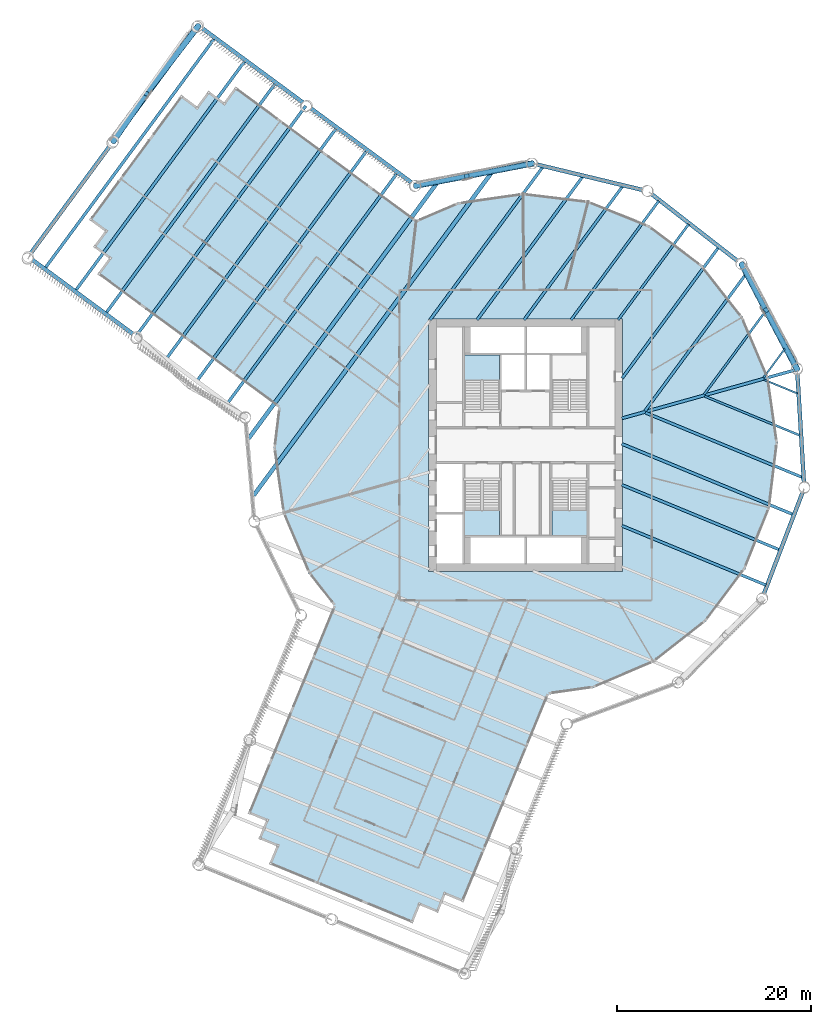
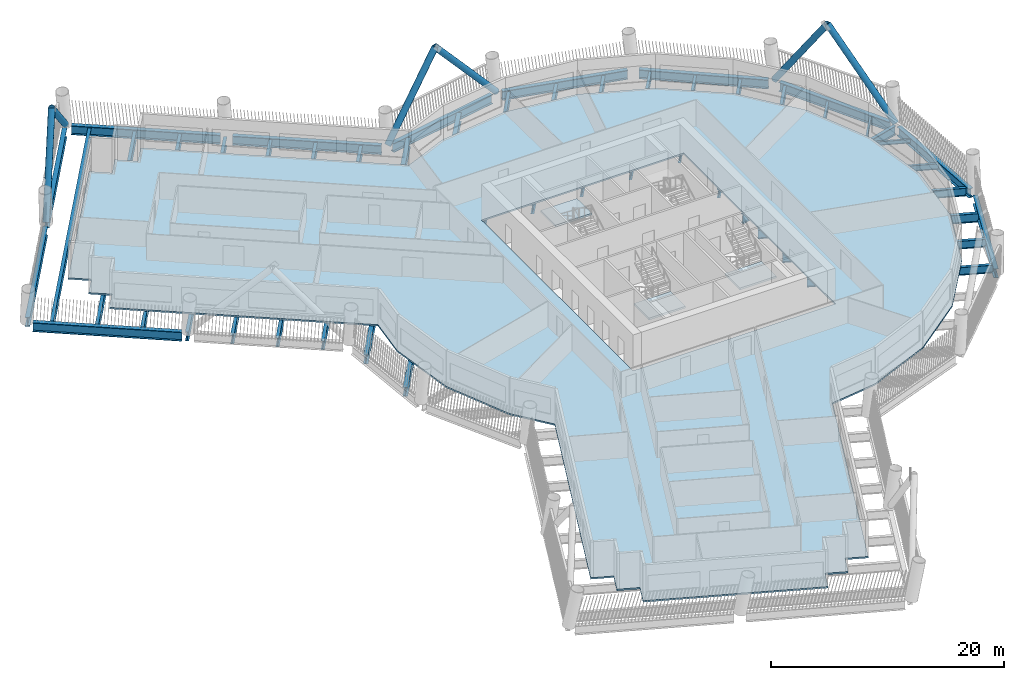
# One storey, part 2 of 23: 36 beams, 6 members, 4 slabs, 3 elements without a shape of their own.
"""IFC4 building model written with IfcOpenShell, lengths in metres."""

from ifc_helpers import new_model, si_unit, direction, frame, origin, origin_2d, place, context, subcontext, project, spatial, polyline, hollow_circle, i_section, outline, extrude, material, layer, layer_set, material_profile, profile_set, type_object, element, aggregate, save


model = new_model("IFC4")

# Units and contexts
model_context = context("Model", 3, precision=1e-05, world=origin(), true_north=direction((0.0, 1.0)))
body_context = subcontext(model_context, "Body", "Model", "MODEL_VIEW")
ifc_project = project(units=[si_unit("LENGTHUNIT", "METRE"), si_unit("AREAUNIT", "SQUARE_METRE"), si_unit("VOLUMEUNIT", "CUBIC_METRE"), si_unit("PLANEANGLEUNIT", "RADIAN"), si_unit("MASSUNIT", "GRAM", prefix="KILO")], contexts=[model_context])

# Site, building, storey
site_placement = place(None, origin())
site = spatial("IfcSite", under=ifc_project, at=site_placement, CompositionType="ELEMENT")
building_placement = place(site_placement, origin())
building = spatial("IfcBuilding", under=site, at=building_placement, Name="Tarsis Ring Headquarters", CompositionType="ELEMENT")
storey_placement = place(building_placement, frame((0.0, 0.0, 124.0)))
storey = spatial("IfcBuildingStorey", under=building, at=storey_placement, Name="L28", CompositionType="ELEMENT", Elevation=124.0)

# Beams
ifc_material_1 = material(Name="Structural steel S355", Category="steel")
ifc_material_profile_1 = material_profile(ifc_material_1, i_section(OverallWidth=0.177734375, OverallDepth=0.406494140625, WebThickness=0.0078125, FlangeThickness=0.0126953125, at=origin_2d()), Name="W16x40")
ifc_profile_set_1 = profile_set([ifc_material_profile_1], Name="Structural steel S355")
beam_type_1 = type_object("IfcBeamType", Name="FB Floor beam W16x40", PredefinedType="JOIST", material=ifc_profile_set_1)
beam_1_placement = place(storey_placement, frame((24.54541015625, 6.75634765625, -0.36328125), z_axis=(0.924533448586, -0.381100908482, 0.0), x_axis=(0.381100908482, 0.924533448586, 0.0)))
element("IfcBeam", 1, at=beam_1_placement, inside=storey, type_object=beam_type_1, Name="Floor beam FB1", PredefinedType="JOIST", context=body_context, shape_type="SweptSolid", body=[
    extrude(i_section(OverallWidth=0.177734375, OverallDepth=0.406494140625, WebThickness=0.0078125, FlangeThickness=0.0126953125, at=origin_2d()), origin(), (0.0, 0.0, 1.0), 3.741943359375),
])
beam_2_placement = place(storey_placement, frame((26.715576171875, 9.94775390625, -0.36328125), z_axis=(-0.593423807541, -0.804890169305, 0.0), x_axis=(0.804890169305, -0.593423807541, 0.0)))
element("IfcBeam", 2, at=beam_2_placement, inside=storey, type_object=beam_type_1, Name="Floor beam FB1", PredefinedType="JOIST", context=body_context, shape_type="SweptSolid", body=[
    extrude(i_section(OverallWidth=0.177734375, OverallDepth=0.406494140625, WebThickness=0.0078125, FlangeThickness=0.0126953125, at=origin_2d()), origin(), (0.0, 0.0, 1.0), 3.74169921875),
])
ifc_material_profile_2 = material_profile(ifc_material_1, i_section(OverallWidth=0.228271484375, OverallDepth=0.607177734375, WebThickness=0.01123046875, FlangeThickness=0.017333984375, at=origin_2d()), Name="W24x76")
ifc_profile_set_2 = profile_set([ifc_material_profile_2], Name="Structural steel S355")
beam_type_2 = type_object("IfcBeamType", Name="FB Floor beam W24x76", PredefinedType="JOIST", material=ifc_profile_set_2)
for number, where, z_axis, x_axis, name in (
    (3, (18.444091796875, 5.052734375, -0.463623046875), (0.924548560944, -0.381064244526, 0.0), (0.381064244526, 0.924548560944, 0.0), "Floor beam FB4"),
    (4, (24.69677734375, 13.781494140625, -0.463623046875), (-0.593433455128, -0.80488305631, 0.0), (0.80488305631, -0.593433455128, 0.0), "Floor beam FB4"),
):
    element("IfcBeam", number, at=place(storey_placement, frame(where, z_axis=z_axis, x_axis=x_axis)), inside=storey, type_object=beam_type_2, Name=name, PredefinedType="JOIST", context=body_context, shape_type="SweptSolid", body=[
        extrude(i_section(OverallWidth=0.228271484375, OverallDepth=0.607177734375, WebThickness=0.01123046875, FlangeThickness=0.017333984375, at=origin_2d()), origin(), (0.0, 0.0, 1.0), 10.62109375),
    ])
ifc_material_profile_3 = material_profile(ifc_material_1, i_section(OverallWidth=0.2529296875, OverallDepth=0.67822265625, WebThickness=0.01171875, FlangeThickness=0.016357421875, at=origin_2d()), Name="W27x84")
ifc_profile_set_3 = profile_set([ifc_material_profile_3], Name="Structural steel S355")
beam_type_3 = type_object("IfcBeamType", Name="FB Floor beam W27x84", PredefinedType="JOIST", material=ifc_profile_set_3)
beam_3_placement = place(storey_placement, frame((16.78955078125, 22.772705078125, -0.4990234375), z_axis=(-0.593416030826, -0.804895902809, 0.0), x_axis=(0.804895902809, -0.593416030826, 0.0)))
element("IfcBeam", 5, at=beam_3_placement, inside=storey, type_object=beam_type_3, Name="Floor beam FB5", PredefinedType="JOIST", context=body_context, shape_type="SweptSolid", body=[
    extrude(i_section(OverallWidth=0.2529296875, OverallDepth=0.67822265625, WebThickness=0.01171875, FlangeThickness=0.016357421875, at=origin_2d()), origin(), (0.0, 0.0, 1.0), 12.24169921875),
])
ifc_material_profile_4 = material_profile(ifc_material_1, i_section(OverallWidth=0.2666015625, OverallDepth=0.7568359375, WebThickness=0.013916015625, FlangeThickness=0.019287109375, at=origin_2d()), Name="W30x108")
ifc_profile_set_4 = profile_set([ifc_material_profile_4], Name="Structural steel S355")
beam_type_4 = type_object("IfcBeamType", Name="FB Floor beam W30x108", PredefinedType="JOIST", material=ifc_profile_set_4)
beam_4_placement = place(storey_placement, frame((13.71044921875, 25.168701171875, -0.538330078125), z_axis=(-0.593411342668, -0.80489935917, 0.0), x_axis=(0.80489935917, -0.593411342668, 0.0)))
element("IfcBeam", 6, at=beam_4_placement, inside=storey, type_object=beam_type_4, Name="Floor beam FB6", PredefinedType="JOIST", context=body_context, shape_type="SweptSolid", body=[
    extrude(i_section(OverallWidth=0.2666015625, OverallDepth=0.7568359375, WebThickness=0.013916015625, FlangeThickness=0.019287109375, at=origin_2d()), origin(), (0.0, 0.0, 1.0), 15.218505859375),
])
ifc_material_profile_5 = material_profile(ifc_material_1, i_section(OverallWidth=0.2919921875, OverallDepth=0.835693359375, WebThickness=0.013916015625, FlangeThickness=0.018798828125, at=origin_2d()), Name="W33x118")
ifc_profile_set_5 = profile_set([ifc_material_profile_5], Name="Structural steel S355")
beam_type_5 = type_object("IfcBeamType", Name="FB Floor beam W33x118", PredefinedType="JOIST", material=ifc_profile_set_5)
beam_5_placement = place(storey_placement, frame((12.3427734375, 3.34912109375, -0.577880859375), z_axis=(0.924548902838, -0.381063415012, 0.0), x_axis=(0.381063415012, 0.924548902838, 0.0)))
element("IfcBeam", 7, at=beam_5_placement, inside=storey, type_object=beam_type_5, Name="Floor beam FB7", PredefinedType="JOIST", context=body_context, shape_type="SweptSolid", body=[
    extrude(i_section(OverallWidth=0.2919921875, OverallDepth=0.835693359375, WebThickness=0.013916015625, FlangeThickness=0.018798828125, at=origin_2d()), origin(), (0.0, 0.0, 1.0), 17.5009765625),
])
beam_6_placement = place(storey_placement, frame((9.907470703125, -4.08349609375, -0.577880859375), z_axis=(0.924547446988, -0.381066947225, 0.0), x_axis=(0.381066947225, 0.924547446988, 0.0)))
element("IfcBeam", 8, at=beam_6_placement, inside=storey, type_object=beam_type_5, Name="Floor beam FB7", PredefinedType="JOIST", context=body_context, shape_type="SweptSolid", body=[
    extrude(i_section(OverallWidth=0.2919921875, OverallDepth=0.835693359375, WebThickness=0.013916015625, FlangeThickness=0.018798828125, at=origin_2d()), origin(), (0.0, 0.0, 1.0), 17.576904296875),
])
beam_7_placement = place(storey_placement, frame((9.907470703125, -8.302001953125, -0.577880859375), z_axis=(0.924552829151, -0.38105388872, 0.0), x_axis=(0.38105388872, 0.924552829151, 0.0)))
element("IfcBeam", 9, at=beam_7_placement, inside=storey, type_object=beam_type_5, Name="Floor beam FB7", PredefinedType="JOIST", context=body_context, shape_type="SweptSolid", body=[
    extrude(i_section(OverallWidth=0.2919921875, OverallDepth=0.835693359375, WebThickness=0.013916015625, FlangeThickness=0.018798828125, at=origin_2d()), origin(), (0.0, 0.0, 1.0), 16.070556640625),
])
beam_8_placement = place(storey_placement, frame((22.677978515625, 17.615234375, -0.577880859375), z_axis=(-0.593419816906, -0.804893111477, 0.0), x_axis=(0.804893111477, -0.593419816906, 0.0)))
element("IfcBeam", 10, at=beam_8_placement, inside=storey, type_object=beam_type_5, Name="Floor beam FB7", PredefinedType="JOIST", context=body_context, shape_type="SweptSolid", body=[
    extrude(i_section(OverallWidth=0.2919921875, OverallDepth=0.835693359375, WebThickness=0.013916015625, FlangeThickness=0.018798828125, at=origin_2d()), origin(), (0.0, 0.0, 1.0), 17.500732421875),
])
beam_9_placement = place(storey_placement, frame((19.86865234375, 20.376953125, -0.577880859375), z_axis=(-0.593423516318, -0.804890384016, 0.0), x_axis=(0.804890384016, -0.593423516318, 0.0)))
element("IfcBeam", 11, at=beam_9_placement, inside=storey, type_object=beam_type_5, Name="Floor beam FB7", PredefinedType="JOIST", context=body_context, shape_type="SweptSolid", body=[
    extrude(i_section(OverallWidth=0.2919921875, OverallDepth=0.835693359375, WebThickness=0.013916015625, FlangeThickness=0.018798828125, at=origin_2d()), origin(), (0.0, 0.0, 1.0), 16.72998046875),
])
beam_10_placement = place(storey_placement, frame((9.979736328125, 26.680419921875, -0.577880859375), z_axis=(-0.59341091211, -0.804899676599, 0.0), x_axis=(0.804899676599, -0.59341091211, 0.0)))
element("IfcBeam", 12, at=beam_10_placement, inside=storey, type_object=beam_type_5, Name="Floor beam FB7", PredefinedType="JOIST", context=body_context, shape_type="SweptSolid", body=[
    extrude(i_section(OverallWidth=0.2919921875, OverallDepth=0.835693359375, WebThickness=0.013916015625, FlangeThickness=0.018798828125, at=origin_2d()), origin(), (0.0, 0.0, 1.0), 17.096435546875),
])
ifc_material_profile_6 = material_profile(ifc_material_1, i_section(OverallWidth=0.3046875, OverallDepth=0.904296875, WebThickness=0.01513671875, FlangeThickness=0.02001953125, at=origin_2d()), Name="W36x135")
ifc_profile_set_6 = profile_set([ifc_material_profile_6], Name="Structural steel S355")
beam_type_6 = type_object("IfcBeamType", Name="FB Floor beam W36x135", PredefinedType="JOIST", material=ifc_profile_set_6)
beam_11_placement = place(storey_placement, frame((9.907470703125, 0.134765625, -0.612060546875), z_axis=(0.924547421731, -0.381067008506, 0.0), x_axis=(0.381067008506, 0.924547421731, 0.0)))
element("IfcBeam", 13, at=beam_11_placement, inside=storey, type_object=beam_type_6, Name="Floor beam FB8", PredefinedType="JOIST", context=body_context, shape_type="SweptSolid", body=[
    extrude(i_section(OverallWidth=0.3046875, OverallDepth=0.904296875, WebThickness=0.01513671875, FlangeThickness=0.02001953125, at=origin_2d()), origin(), (0.0, 0.0, 1.0), 19.083251953125),
])
beam_12_placement = place(storey_placement, frame((5.865234375, 27.671630859375, -0.612060546875), z_axis=(-0.593417573796, -0.804894765239, 0.0), x_axis=(0.804894765239, -0.593417573796, 0.0)))
element("IfcBeam", 14, at=beam_12_placement, inside=storey, type_object=beam_type_6, Name="Floor beam FB8", PredefinedType="JOIST", context=body_context, shape_type="SweptSolid", body=[
    extrude(i_section(OverallWidth=0.3046875, OverallDepth=0.904296875, WebThickness=0.01513671875, FlangeThickness=0.02001953125, at=origin_2d()), origin(), (0.0, 0.0, 1.0), 18.328125),
])
beam_13_placement = place(storey_placement, frame((1.75048828125, 28.662841796875, -0.612060546875), z_axis=(-0.593415310115, -0.804896434159, 0.0), x_axis=(0.804896434159, -0.593415310115, 0.0)))
element("IfcBeam", 15, at=beam_13_placement, inside=storey, type_object=beam_type_6, Name="Floor beam FB8", PredefinedType="JOIST", context=body_context, shape_type="SweptSolid", body=[
    extrude(i_section(OverallWidth=0.3046875, OverallDepth=0.904296875, WebThickness=0.01513671875, FlangeThickness=0.02001953125, at=origin_2d()), origin(), (0.0, 0.0, 1.0), 19.5595703125),
])
ifc_material_profile_7 = material_profile(ifc_material_1, i_section(OverallWidth=0.309814453125, OverallDepth=0.949951171875, WebThickness=0.0244140625, FlangeThickness=0.0439453125, at=origin_2d()), Name="W36x256")
ifc_profile_set_7 = profile_set([ifc_material_profile_7], Name="Structural steel S355")
beam_type_7 = type_object("IfcBeamType", Name="FB Floor beam W36x256", PredefinedType="JOIST", material=ifc_profile_set_7)
beam_14_placement = place(storey_placement, frame((-13.257568359375, 28.0224609375, -0.635009765625), z_axis=(-0.593420144273, -0.804892870121, 0.0), x_axis=(0.804892870121, -0.593420144273, 0.0)))
element("IfcBeam", 16, at=beam_14_placement, inside=storey, type_object=beam_type_7, Name="Floor beam FB11", PredefinedType="JOIST", context=body_context, shape_type="SweptSolid", body=[
    extrude(i_section(OverallWidth=0.309814453125, OverallDepth=0.949951171875, WebThickness=0.0244140625, FlangeThickness=0.0439453125, at=origin_2d()), origin(), (0.0, 0.0, 1.0), 29.375732421875),
])
beam_15_placement = place(storey_placement, frame((-16.396728515625, 30.3369140625, -0.635009765625), z_axis=(-0.593416174641, -0.80489579678, 0.0), x_axis=(0.80489579678, -0.593416174641, 0.0)))
element("IfcBeam", 17, at=beam_15_placement, inside=storey, type_object=beam_type_7, Name="Floor beam FB11", PredefinedType="JOIST", context=body_context, shape_type="SweptSolid", body=[
    extrude(i_section(OverallWidth=0.309814453125, OverallDepth=0.949951171875, WebThickness=0.0244140625, FlangeThickness=0.0439453125, at=origin_2d()), origin(), (0.0, 0.0, 1.0), 29.3759765625),
])
beam_16_placement = place(storey_placement, frame((-19.53564453125, 32.651123046875, -0.635009765625), z_axis=(-0.593420144273, -0.804892870121, 0.0), x_axis=(0.804892870121, -0.593420144273, 0.0)))
element("IfcBeam", 18, at=beam_16_placement, inside=storey, type_object=beam_type_7, Name="Floor beam FB11", PredefinedType="JOIST", context=body_context, shape_type="SweptSolid", body=[
    extrude(i_section(OverallWidth=0.309814453125, OverallDepth=0.949951171875, WebThickness=0.0244140625, FlangeThickness=0.0439453125, at=origin_2d()), origin(), (0.0, 0.0, 1.0), 29.375732421875),
])
beam_17_placement = place(storey_placement, frame((-22.6748046875, 34.965576171875, -0.635009765625), z_axis=(-0.593416174641, -0.80489579678, 0.0), x_axis=(0.80489579678, -0.593416174641, 0.0)))
element("IfcBeam", 19, at=beam_17_placement, inside=storey, type_object=beam_type_7, Name="Floor beam FB11", PredefinedType="JOIST", context=body_context, shape_type="SweptSolid", body=[
    extrude(i_section(OverallWidth=0.309814453125, OverallDepth=0.949951171875, WebThickness=0.0244140625, FlangeThickness=0.0439453125, at=origin_2d()), origin(), (0.0, 0.0, 1.0), 29.3759765625),
])
beam_18_placement = place(storey_placement, frame((-25.81396484375, 37.27978515625, -0.635009765625), z_axis=(-0.593420144273, -0.804892870121, 0.0), x_axis=(0.804892870121, -0.593420144273, 0.0)))
element("IfcBeam", 20, at=beam_18_placement, inside=storey, type_object=beam_type_7, Name="Floor beam FB11", PredefinedType="JOIST", context=body_context, shape_type="SweptSolid", body=[
    extrude(i_section(OverallWidth=0.309814453125, OverallDepth=0.949951171875, WebThickness=0.0244140625, FlangeThickness=0.0439453125, at=origin_2d()), origin(), (0.0, 0.0, 1.0), 29.375732421875),
])
beam_19_placement = place(storey_placement, frame((-28.952880859375, 39.59423828125, -0.635009765625), z_axis=(-0.593416174641, -0.80489579678, 0.0), x_axis=(0.80489579678, -0.593416174641, 0.0)))
element("IfcBeam", 21, at=beam_19_placement, inside=storey, type_object=beam_type_7, Name="Floor beam FB11", PredefinedType="JOIST", context=body_context, shape_type="SweptSolid", body=[
    extrude(i_section(OverallWidth=0.309814453125, OverallDepth=0.949951171875, WebThickness=0.0244140625, FlangeThickness=0.0439453125, at=origin_2d()), origin(), (0.0, 0.0, 1.0), 29.3759765625),
])
beam_20_placement = place(storey_placement, frame((-32.092041015625, 41.908447265625, -0.635009765625), z_axis=(-0.593420144273, -0.804892870121, 0.0), x_axis=(0.804892870121, -0.593420144273, 0.0)))
element("IfcBeam", 22, at=beam_20_placement, inside=storey, type_object=beam_type_7, Name="Floor beam FB11", PredefinedType="JOIST", context=body_context, shape_type="SweptSolid", body=[
    extrude(i_section(OverallWidth=0.309814453125, OverallDepth=0.949951171875, WebThickness=0.0244140625, FlangeThickness=0.0439453125, at=origin_2d()), origin(), (0.0, 0.0, 1.0), 29.375732421875),
])
beam_type_8 = type_object("IfcBeamType", Name="FB Floor beam W36x256 spine", PredefinedType="BEAM", material=ifc_profile_set_7)
beam_21_placement = place(storey_placement, frame((27.86572265625, 7.7802734375, -0.635009765625), z_axis=(-0.963162399627, -0.268920419354, 0.0), x_axis=(0.268920419354, -0.963162399627, 0.0)))
element("IfcBeam", 23, at=beam_21_placement, inside=storey, type_object=beam_type_8, Name="Floor beam SB11", PredefinedType="BEAM", context=body_context, shape_type="SweptSolid", body=[
    extrude(i_section(OverallWidth=0.309814453125, OverallDepth=0.949951171875, WebThickness=0.0244140625, FlangeThickness=0.0439453125, at=origin_2d()), origin(), (0.0, 0.0, 1.0), 18.649169921875),
])
ifc_material_profile_8 = material_profile(ifc_material_1, i_section(OverallWidth=0.42431640625, OverallDepth=0.947509765625, WebThickness=0.02392578125, FlangeThickness=0.042724609375, at=origin_2d()), Name="W36x302")
ifc_profile_set_8 = profile_set([ifc_material_profile_8], Name="Structural steel S355")
beam_type_9 = type_object("IfcBeamType", Name="FB Floor beam W36x302", PredefinedType="JOIST", material=ifc_profile_set_8)
beam_22_placement = place(storey_placement, frame((-3.51708984375, 28.08984375, -0.6337890625), z_axis=(-0.593419533512, -0.804893320414, 0.0), x_axis=(0.804893320414, -0.593419533512, 0.0)))
element("IfcBeam", 24, at=beam_22_placement, inside=storey, type_object=beam_type_9, Name="Floor beam FB12", PredefinedType="JOIST", context=body_context, shape_type="SweptSolid", body=[
    extrude(i_section(OverallWidth=0.42431640625, OverallDepth=0.947509765625, WebThickness=0.02392578125, FlangeThickness=0.042724609375, at=origin_2d()), origin(), (0.0, 0.0, 1.0), 41.353271484375),
])
beam_23_placement = place(storey_placement, frame((-9.1552734375, 27.014404296875, -0.6337890625), z_axis=(-0.593422589869, -0.80489106706, 0.0), x_axis=(0.80489106706, -0.593422589869, 0.0)))
element("IfcBeam", 25, at=beam_23_placement, inside=storey, type_object=beam_type_9, Name="Floor beam FB12", PredefinedType="JOIST", context=body_context, shape_type="SweptSolid", body=[
    extrude(i_section(OverallWidth=0.42431640625, OverallDepth=0.947509765625, WebThickness=0.02392578125, FlangeThickness=0.042724609375, at=origin_2d()), origin(), (0.0, 0.0, 1.0), 32.70458984375),
])

# Members
ifc_material_profile_9 = material_profile(ifc_material_1, hollow_circle(Radius=0.3046875, WallThickness=0.02490234375, at=origin_2d()), Name="CHS 610x25")
ifc_profile_set_9 = profile_set([ifc_material_profile_9], Name="Structural steel S355")
member_type = type_object("IfcMemberType", Name="XD X brace CHS 610x25", PredefinedType="BRACE", material=ifc_profile_set_9)
member_1_placement = place(storey_placement, frame((27.978515625, 7.811767578125, 0.0), z_axis=(-0.309554750893, 0.585649826773, 0.749126248772), x_axis=(-0.884096820494, -0.467303768434, 0.0)))
element("IfcMember", 26, at=member_1_placement, inside=storey, type_object=member_type, Name="X brace XD1", PredefinedType="BRACE", context=body_context, shape_type="SweptSolid", body=[
    extrude(hollow_circle(Radius=0.3046875, WallThickness=0.02490234375, at=origin_2d()), origin(), (0.0, 0.0, 1.0), 10.412109375),
])
member_2_placement = place(storey_placement, frame((22.271240234375, 18.649658203125, 0.0), z_axis=(0.262611344795, -0.501090836285, 0.824586717923), x_axis=(0.885733292108, 0.46419450153, 0.0)))
element("IfcMember", 27, at=member_2_placement, inside=storey, type_object=member_type, Name="X brace XD1", PredefinedType="BRACE", context=body_context, shape_type="SweptSolid", body=[
    extrude(hollow_circle(Radius=0.3046875, WallThickness=0.02490234375, at=origin_2d()), origin(), (0.0, 0.0, 1.0), 9.459228515625),
])
member_3_placement = place(storey_placement, frame((0.69580078125, 29.040283203125, 0.0), z_axis=(-0.650518670439, -0.125114173351, 0.749114078787), x_axis=(0.188868398418, -0.982002407369, 0.0)))
element("IfcMember", 28, at=member_3_placement, inside=storey, type_object=member_type, Name="X brace XD1", PredefinedType="BRACE", context=body_context, shape_type="SweptSolid", body=[
    extrude(hollow_circle(Radius=0.3046875, WallThickness=0.02490234375, at=origin_2d()), origin(), (0.0, 0.0, 1.0), 10.412353515625),
])
member_4_placement = place(storey_placement, frame((-11.336181640625, 26.745361328125, 0.0), z_axis=(0.555915375488, 0.10489066744, 0.824594471956), x_axis=(-0.185409521616, 0.982661340083, 0.0)))
element("IfcMember", 29, at=member_4_placement, inside=storey, type_object=member_type, Name="X brace XD1", PredefinedType="BRACE", context=body_context, shape_type="SweptSolid", body=[
    extrude(hollow_circle(Radius=0.3046875, WallThickness=0.02490234375, at=origin_2d()), origin(), (0.0, 0.0, 1.0), 9.459228515625),
])
member_5_placement = place(storey_placement, frame((-33.7158203125, 43.244873046875, 0.0), z_axis=(-0.457337877985, -0.594309402542, 0.661542439614), x_axis=(0.792510038651, -0.609858867803, 0.0)))
element("IfcMember", 30, at=member_5_placement, inside=storey, type_object=member_type, Name="X brace XD1", PredefinedType="BRACE", context=body_context, shape_type="SweptSolid", body=[
    extrude(hollow_circle(Radius=0.3046875, WallThickness=0.02490234375, at=origin_2d()), origin(), (0.0, 0.0, 1.0), 11.790771484375),
])
member_6_placement = place(storey_placement, frame((-42.498291015625, 31.33251953125, 0.0), z_axis=(0.345298138268, 0.499595628398, 0.794464224364), x_axis=(-0.822635627084, 0.568568927265, 0.0)))
element("IfcMember", 31, at=member_6_placement, inside=storey, type_object=member_type, Name="X brace XD1", PredefinedType="BRACE", context=body_context, shape_type="SweptSolid", body=[
    extrude(hollow_circle(Radius=0.3046875, WallThickness=0.02490234375, at=origin_2d()), origin(), (0.0, 0.0, 1.0), 9.818115234375),
])

# Beams
beam_type_10 = type_object("IfcBeamType", Name="XG Ring girder W36x302", PredefinedType="BEAM", material=ifc_profile_set_8)
beam_24_placement = place(storey_placement, frame((24.5263671875, -15.365966796875, -0.4736328125), z_axis=(0.356963461589, 0.934118347475, 0.0), x_axis=(-0.934118347475, 0.356963461589, 0.0)))
element("IfcBeam", 32, at=beam_24_placement, inside=storey, type_object=beam_type_10, Name="Ring girder XG1", PredefinedType="BEAM", context=body_context, shape_type="SweptSolid", body=[
    extrude(i_section(OverallWidth=0.42431640625, OverallDepth=0.947509765625, WebThickness=0.02392578125, FlangeThickness=0.042724609375, at=origin_2d()), origin(), (0.0, 0.0, 1.0), 11.197509765625),
])
beam_25_placement = place(storey_placement, frame((28.6796875, -3.890380859375, -0.4736328125), z_axis=(-0.059828852712, 0.998208649724, 0.0), x_axis=(-0.998208649724, -0.059828852712, 0.0)))
element("IfcBeam", 33, at=beam_25_placement, inside=storey, type_object=beam_type_10, Name="Ring girder XG1", PredefinedType="BEAM", context=body_context, shape_type="SweptSolid", body=[
    extrude(i_section(OverallWidth=0.42431640625, OverallDepth=0.947509765625, WebThickness=0.02392578125, FlangeThickness=0.042724609375, at=origin_2d()), origin(), (0.0, 0.0, 1.0), 11.197265625),
])
beam_26_placement = place(storey_placement, frame((27.7333984375, 8.27685546875, -0.4736328125), z_axis=(-0.46593513137, 0.884818881668, 0.0), x_axis=(-0.884818881668, -0.46593513137, 0.0)))
element("IfcBeam", 34, at=beam_26_placement, inside=storey, type_object=beam_type_10, Name="Ring girder XG1", PredefinedType="BEAM", context=body_context, shape_type="SweptSolid", body=[
    extrude(i_section(OverallWidth=0.42431640625, OverallDepth=0.947509765625, WebThickness=0.02392578125, FlangeThickness=0.042724609375, at=origin_2d()), origin(), (0.0, 0.0, 1.0), 11.197509765625),
])
beam_27_placement = place(storey_placement, frame((21.856201171875, 18.97265625, -0.4736328125), z_axis=(-0.789227752471, 0.614100606358, 0.0), x_axis=(-0.614100606358, -0.789227752471, 0.0)))
element("IfcBeam", 35, at=beam_27_placement, inside=storey, type_object=beam_type_10, Name="Ring girder XG1", PredefinedType="BEAM", context=body_context, shape_type="SweptSolid", body=[
    extrude(i_section(OverallWidth=0.42431640625, OverallDepth=0.947509765625, WebThickness=0.02392578125, FlangeThickness=0.042724609375, at=origin_2d()), origin(), (0.0, 0.0, 1.0), 11.197265625),
])
beam_28_placement = place(storey_placement, frame((12.0927734375, 26.294677734375, -0.4736328125), z_axis=(-0.972189631288, 0.23419504866, 0.0), x_axis=(-0.23419504866, -0.972189631288, 0.0)))
element("IfcBeam", 36, at=beam_28_placement, inside=storey, type_object=beam_type_10, Name="Ring girder XG1", PredefinedType="BEAM", context=body_context, shape_type="SweptSolid", body=[
    extrude(i_section(OverallWidth=0.42431640625, OverallDepth=0.947509765625, WebThickness=0.02392578125, FlangeThickness=0.042724609375, at=origin_2d()), origin(), (0.0, 0.0, 1.0), 11.197021484375),
])
beam_29_placement = place(storey_placement, frame((0.179443359375, 28.941650390625, -0.4736328125), z_axis=(-0.982291779865, -0.18735757046, 0.0), x_axis=(0.18735757046, -0.982291779865, 0.0)))
element("IfcBeam", 37, at=beam_29_placement, inside=storey, type_object=beam_type_10, Name="Ring girder XG1", PredefinedType="BEAM", context=body_context, shape_type="SweptSolid", body=[
    extrude(i_section(OverallWidth=0.42431640625, OverallDepth=0.947509765625, WebThickness=0.02392578125, FlangeThickness=0.042724609375, at=origin_2d()), origin(), (0.0, 0.0, 1.0), 11.197265625),
])
for number, where, z_axis, x_axis, name in (
    (38, (-11.75927734375, 27.057373046875, -0.4736328125), (-0.80489966211, 0.593410931763, 0.0), (-0.593410931763, -0.80489966211, 0.0), "Ring girder XG1"),
    (39, (-22.94921875, 35.30712890625, -0.4736328125), (-0.804892971972, 0.593420006126, 0.0), (-0.593420006126, -0.804892971972, 0.0), "Ring girder XG1"),
):
    element("IfcBeam", number, at=place(storey_placement, frame(where, z_axis=z_axis, x_axis=x_axis)), inside=storey, type_object=beam_type_10, Name=name, PredefinedType="BEAM", context=body_context, shape_type="SweptSolid", body=[
        extrude(i_section(OverallWidth=0.42431640625, OverallDepth=0.947509765625, WebThickness=0.02392578125, FlangeThickness=0.042724609375, at=origin_2d()), origin(), (0.0, 0.0, 1.0), 12.8505859375),
    ])
for number, where, z_axis, x_axis, name in (
    (40, (-34.02783203125, 42.82177734375, -0.4736328125), (-0.593407997444, -0.804901825423, 0.0), (0.804901825423, -0.593407997444, 0.0), "Ring girder XG1"),
    (41, (-42.810302734375, 30.909423828125, -0.4736328125), (-0.593419501869, -0.804893343743, 0.0), (0.804893343743, -0.593419501869, 0.0), "Ring girder XG1"),
):
    element("IfcBeam", number, at=place(storey_placement, frame(where, z_axis=z_axis, x_axis=x_axis)), inside=storey, type_object=beam_type_10, Name=name, PredefinedType="BEAM", context=body_context, shape_type="SweptSolid", body=[
        extrude(i_section(OverallWidth=0.42431640625, OverallDepth=0.947509765625, WebThickness=0.02392578125, FlangeThickness=0.042724609375, at=origin_2d()), origin(), (0.0, 0.0, 1.0), 13.74853515625),
    ])
beam_30_placement = place(storey_placement, frame((-50.85791015625, 19.108154296875, -0.4736328125), z_axis=(0.804890587856, -0.593423239839, 0.0), x_axis=(0.593423239839, 0.804890587856, 0.0)))
element("IfcBeam", 42, at=beam_30_placement, inside=storey, type_object=beam_type_10, Name="Ring girder XG1", PredefinedType="BEAM", context=body_context, shape_type="SweptSolid", body=[
    extrude(i_section(OverallWidth=0.42431640625, OverallDepth=0.947509765625, WebThickness=0.02392578125, FlangeThickness=0.042724609375, at=origin_2d()), origin(), (0.0, 0.0, 1.0), 12.850830078125),
])

# Stair, slab
ifc_material_2 = material(Name="Core stair 1760")
stair_type = type_object("IfcStairType", Name="Core stair 1760", PredefinedType="HALF_TURN_STAIR", material=ifc_material_2)
stair_1_placement = place(storey_placement, origin())
stair_1 = element("IfcStair", 43, at=stair_1_placement, inside=storey, type_object=stair_type, Name="L28 Firefighting stair", PredefinedType="HALF_TURN_STAIR")
ifc_material_3 = material(Name="Concrete C40/50", Category="concrete")
ifc_layer_1 = layer(ifc_material_3, 0.199951171875)
ifc_layer_set_1 = layer_set([ifc_layer_1], Name="Core stair landing 200")
slab_type_1 = type_object("IfcSlabType", Name="Core stair landing 200", PredefinedType="LANDING", material=ifc_layer_set_1)
slab_1_placement = place(storey_placement, frame((0.0, 0.0, 1.75)))
slab_1 = element("IfcSlab", 44, at=slab_1_placement, type_object=slab_type_1, Name="Stair ST1 landing 1", PredefinedType="LANDING", context=body_context, shape_type="SweptSolid", body=[
    extrude(outline(polyline([(-2.699951171875, 6.739990234375), (-2.699951171875, 9.300048828125), (-6.300048828125, 9.300048828125), (-6.300048828125, 6.739990234375), (-2.699951171875, 6.739990234375)])), origin(), (0.0, 0.0, 1.0), 0.199951171875),
])
aggregate(stair_1, [slab_1])

stair_2_placement = place(storey_placement, origin())
stair_2 = element("IfcStair", 45, at=stair_2_placement, inside=storey, type_object=stair_type, Name="L28 Exit stair C", PredefinedType="HALF_TURN_STAIR")
slab_2_placement = place(storey_placement, frame((0.0, 0.0, 1.75)))
slab_2 = element("IfcSlab", 46, at=slab_2_placement, type_object=slab_type_1, Name="Stair ST3 landing 1", PredefinedType="LANDING", context=body_context, shape_type="SweptSolid", body=[
    extrude(outline(polyline([(-6.300048828125, -6.739990234375), (-6.300048828125, -9.300048828125), (-2.699951171875, -9.300048828125), (-2.699951171875, -6.739990234375), (-6.300048828125, -6.739990234375)])), origin(), (0.0, 0.0, 1.0), 0.199951171875),
])
aggregate(stair_2, [slab_2])

stair_3_placement = place(storey_placement, origin())
stair_3 = element("IfcStair", 47, at=stair_3_placement, inside=storey, type_object=stair_type, Name="L28 Exit stair D", PredefinedType="HALF_TURN_STAIR")
slab_3_placement = place(storey_placement, frame((0.0, 0.0, 1.75)))
slab_3 = element("IfcSlab", 48, at=slab_3_placement, type_object=slab_type_1, Name="Stair ST4 landing 1", PredefinedType="LANDING", context=body_context, shape_type="SweptSolid", body=[
    extrude(outline(polyline([(2.699951171875, -6.739990234375), (2.699951171875, -9.300048828125), (6.300048828125, -9.300048828125), (6.300048828125, -6.739990234375), (2.699951171875, -6.739990234375)])), origin(), (0.0, 0.0, 1.0), 0.199951171875),
])
aggregate(stair_3, [slab_3])

# Slab
ifc_material_4 = material(Name="Concrete C35/45", Category="concrete")
ifc_layer_2 = layer(ifc_material_4, 0.159912109375)
ifc_layer_set_2 = layer_set([ifc_layer_2], Name="FS Composite floor slab 160")
slab_type_2 = type_object("IfcSlabType", Name="FS Composite floor slab 160", PredefinedType="FLOOR", material=ifc_layer_set_2)
slab_4_placement = place(storey_placement, frame((0.0, 0.0, -0.159912109375)))
element("IfcSlab", 49, at=slab_4_placement, inside=storey, type_object=slab_type_2, Name="Floor slab L28", PredefinedType="FLOOR", context=body_context, shape_type="SweptSolid", body=[
    extrude(outline(polyline([(-25.4951171875, 3.887939453125), (-25.99853515625, -0.272216796875), (-25.042236328125, -6.991943359375), (-22.37939453125, -13.235107421875), (-19.793701171875, -16.53271484375), (-28.623779296875, -37.956298828125), (-26.774658203125, -38.718505859375), (-27.536865234375, -40.567626953125), (-25.687744140625, -41.32958984375), (-26.449951171875, -43.1787109375), (-11.6572265625, -49.27587890625), (-10.89501953125, -47.4267578125), (-9.0458984375, -48.18896484375), (-8.28369140625, -46.33984375), (-6.4345703125, -47.10205078125), (2.3876953125, -25.697509765625), (6.991943359375, -25.042236328125), (13.235107421875, -22.37939453125), (18.576171875, -18.191162109375), (22.651611328125, -12.763427734375), (25.18310546875, -6.4658203125), (25.99853515625, 0.272216796875), (25.042236328125, 6.991943359375), (22.37939453125, 13.235107421875), (18.191162109375, 18.576171875), (12.763427734375, 22.651611328125), (6.4658203125, 25.18310546875), (-0.272216796875, 25.99853515625), (-6.991943359375, 25.042236328125), (-11.269775390625, 23.217529296875), (-29.904052734375, 36.9560546875), (-31.0908203125, 35.34619140625), (-32.70068359375, 36.532958984375), (-33.887451171875, 34.92333984375), (-35.497314453125, 36.110107421875), (-44.991943359375, 23.231689453125), (-43.38232421875, 22.044921875), (-44.569091796875, 20.43505859375), (-42.959228515625, 19.248291015625), (-44.146240234375, 17.638427734375), (-25.4951171875, 3.887939453125)]), holes=[polyline([(-10.0, -13.0), (-10.0, 13.0), (10.0, 13.0), (10.0, -13.0), (-10.0, -13.0)])]), origin(), (0.0, 0.0, 1.0), 0.159912109375),
])

save(model, "model.ifc")
